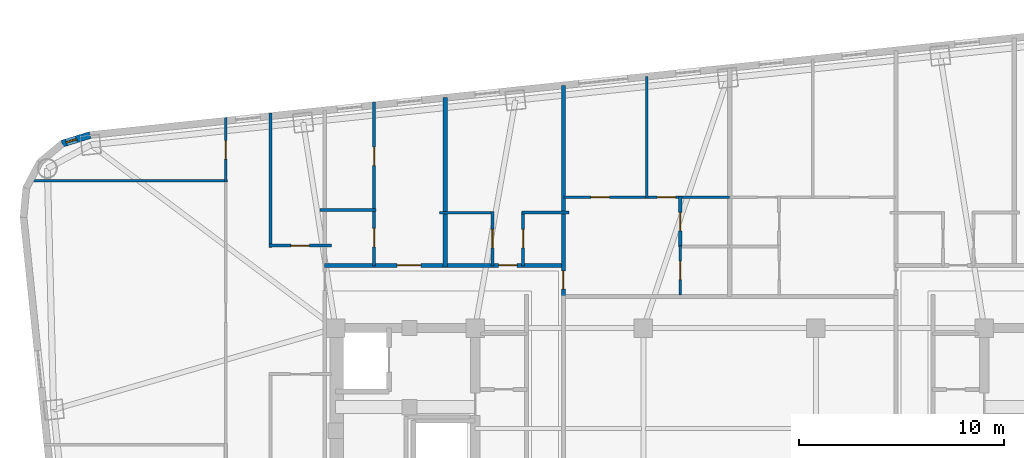
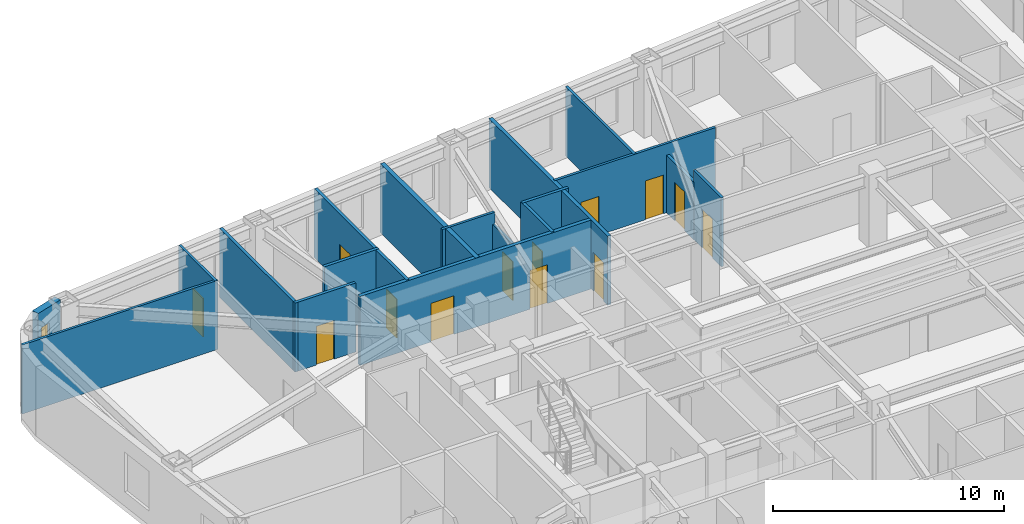
# One storey, part 7 of 12: 19 walls, 13 doors, 1 window, 14 openings.
"""IFC4 building model written with IfcOpenShell, lengths in metres."""

from ifc_helpers import new_model, si_unit, direction, frame, frame_2d, origin, place, context, subcontext, project, spatial, rectangle, extrude, material, layer, layer_set, type_object, element, fill, save


model = new_model("IFC4")

# Units and contexts
model_context = context("Model", 3, precision=1e-05, world=origin(), true_north=direction((0.0, 1.0)))
body_context = subcontext(model_context, "Body", "Model", "MODEL_VIEW")
ifc_project = project(units=[si_unit("LENGTHUNIT", "METRE"), si_unit("AREAUNIT", "SQUARE_METRE"), si_unit("VOLUMEUNIT", "CUBIC_METRE"), si_unit("PLANEANGLEUNIT", "RADIAN"), si_unit("MASSUNIT", "GRAM", prefix="KILO")], contexts=[model_context])

# Site, building, storey
site_placement = place(None, origin())
site = spatial("IfcSite", under=ifc_project, at=site_placement, CompositionType="ELEMENT")
building_placement = place(site_placement, origin())
building = spatial("IfcBuilding", under=site, at=building_placement, Name="Voryun Gate Residences", CompositionType="ELEMENT")
storey_placement = place(building_placement, frame((0.0, 0.0, 159.89990234375)))
storey = spatial("IfcBuildingStorey", under=building, at=storey_placement, Name="L39", CompositionType="ELEMENT", Elevation=159.89990234375)

# Wall, openings, doors
ifc_material_1 = material(Name="Gypsum acoustic fireboard")
ifc_layer_1 = layer(ifc_material_1, 0.179931640625, Name="W_CORR_RATED_180")
ifc_layer_set_1 = layer_set([ifc_layer_1], Name="Gypsum acoustic fireboard")
wall_type_1 = type_object("IfcWallType", Name="W_CORR_RATED_180", PredefinedType="PARTITIONING", material=ifc_layer_set_1)
wall_1_placement = place(storey_placement, frame((-19.75, 10.449951171875, 0.0), z_axis=(0.0, 0.0, 1.0), x_axis=(1.0, 0.0, 0.0)))
wall_1 = element("IfcWall", 1, at=wall_1_placement, inside=storey, type_object=wall_type_1, Name="Partition wall WP-L39-NCORR-W", PredefinedType="PARTITIONING", context=body_context, shape_type="SweptSolid", body=[
    extrude(rectangle(XDim=11.669921875, YDim=0.179931640625, at=frame_2d((5.8349609375, 0.0))), origin(), (0.0, 0.0, 1.0), 3.650146484375),
])
opening_1_placement = place(wall_1_placement, frame((3.552734375, 0.0, 0.0)))
opening_1 = element("IfcOpeningElement", 2, at=opening_1_placement, cuts=wall_1, Name="Opening D-UNIT-1", PredefinedType="OPENING", context=body_context, shape_type="SweptSolid", body=[
    extrude(rectangle(XDim=1.14990234375, YDim=2.050048828125, at=frame_2d((0.574951171875, 1.02490234375))), frame((0.0, 0.099853515625, 0.0), z_axis=(0.0, -1.0, 0.0), x_axis=(1.0, 0.0, 0.0)), (0.0, 0.0, 1.0), 0.199951171875),
])
opening_2_placement = place(wall_1_placement, frame((8.4892578125, 0.0, 0.0)))
opening_2 = element("IfcOpeningElement", 3, at=opening_2_placement, cuts=wall_1, Name="Opening D-INT-2", PredefinedType="OPENING", context=body_context, shape_type="SweptSolid", body=[
    extrude(rectangle(XDim=0.89990234375, YDim=2.050048828125, at=frame_2d((0.449951171875, 1.02490234375))), frame((0.0, 0.099853515625, 0.0), z_axis=(0.0, -1.0, 0.0), x_axis=(1.0, 0.0, 0.0)), (0.0, 0.0, 1.0), 0.199951171875),
])
ifc_material_2 = material(Name="Architectural oak veneer")
door_type_1 = type_object("IfcDoorType", Name="DR_INT_BATH_900", OperationType="NOTDEFINED", PredefinedType="DOOR", material=ifc_material_2)
door_1_placement = place(opening_2_placement, origin())
door_1 = element("IfcDoor", 4, at=door_1_placement, inside=storey, type_object=door_type_1, Name="Door DR-L39-NENT-2", OperationType="SINGLE_SWING_RIGHT", OverallHeight=2.050048828125, OverallWidth=0.89990234375, PredefinedType="DOOR", context=body_context, shape_type="SweptSolid", body=[
    extrude(rectangle(XDim=0.89990234375, YDim=2.050048828125, at=frame_2d((0.449951171875, 1.02490234375))), frame((0.0, 0.02490234375, 0.0), z_axis=(0.0, -1.0, 0.0), x_axis=(1.0, 0.0, 0.0)), (0.0, 0.0, 1.0), 0.050048828125),
])
fill(opening_2, door_1)
ifc_material_3 = material(Name="Armoured timber-clad fire door", Category="wood")
door_type_2 = type_object("IfcDoorType", Name="DR_UNIT_ENTRY_1150", OperationType="NOTDEFINED", PredefinedType="DOOR", material=ifc_material_3)
door_2_placement = place(opening_1_placement, origin())
door_2 = element("IfcDoor", 5, at=door_2_placement, inside=storey, type_object=door_type_2, Name="Door DR-L39-NENT-1", OperationType="SINGLE_SWING_LEFT", OverallHeight=2.050048828125, OverallWidth=1.14990234375, PredefinedType="DOOR", context=body_context, shape_type="SweptSolid", body=[
    extrude(rectangle(XDim=1.14990234375, YDim=2.050048828125, at=frame_2d((0.574951171875, 1.02490234375))), frame((0.0, 0.02490234375, 0.0), z_axis=(0.0, -1.0, 0.0), x_axis=(1.0, 0.0, 0.0)), (0.0, 0.0, 1.0), 0.050048828125),
])
fill(opening_1, door_2)

# Wall, opening, door
wall_2_placement = place(storey_placement, frame((-8.10009765625, 8.93994140625, 0.0), z_axis=(0.0, 0.0, 1.0), x_axis=(0.0, 1.0, 0.0)))
wall_2 = element("IfcWall", 6, at=wall_2_placement, inside=storey, type_object=wall_type_1, Name="Partition wall WP-L39-NZV-1", PredefinedType="PARTITIONING", context=body_context, shape_type="SweptSolid", body=[
    extrude(rectangle(XDim=10.286376953125, YDim=0.179931640625, at=frame_2d((5.14306640625, 0.0))), origin(), (0.0, 0.0, 1.0), 3.650146484375),
])
opening_3_placement = place(wall_2_placement, frame((0.350341796875, 0.0, 0.0)))
opening_3 = element("IfcOpeningElement", 7, at=opening_3_placement, cuts=wall_2, Name="Opening D-INT-2", PredefinedType="OPENING", context=body_context, shape_type="SweptSolid", body=[
    extrude(rectangle(XDim=0.89990234375, YDim=2.050048828125, at=frame_2d((0.449951171875, 1.02490234375))), frame((0.0, 0.099853515625, 0.0), z_axis=(0.0, -1.0, 0.0), x_axis=(1.0, 0.0, 0.0)), (0.0, 0.0, 1.0), 0.199951171875),
])
door_3_placement = place(opening_3_placement, origin())
door_3 = element("IfcDoor", 8, at=door_3_placement, inside=storey, type_object=door_type_1, Name="Door DR-L39-NZENT-1", OperationType="SINGLE_SWING_LEFT", OverallHeight=2.050048828125, OverallWidth=0.89990234375, PredefinedType="DOOR", context=body_context, shape_type="SweptSolid", body=[
    extrude(rectangle(XDim=0.89990234375, YDim=2.050048828125, at=frame_2d((0.449951171875, 1.02490234375))), frame((0.0, 0.02490234375, 0.0), z_axis=(0.0, -1.0, 0.0), x_axis=(1.0, 0.0, 0.0)), (0.0, 0.0, 1.0), 0.050048828125),
])
fill(opening_3, door_3)

# Wall, opening, window
ifc_material_4 = material(Name="Charcoal terracotta masonry", Category="masonry")
ifc_layer_2 = layer(ifc_material_4, 0.340087890625, Name="W_EXT_TERRACOTTA_340")
ifc_layer_set_2 = layer_set([ifc_layer_2], Name="Charcoal terracotta masonry")
wall_type_2 = type_object("IfcWallType", Name="W_EXT_TERRACOTTA_340", PredefinedType="ELEMENTEDWALL", material=ifc_layer_set_2)
wall_3_placement = place(storey_placement, frame((-32.523193359375, 16.37841796875, 0.0), z_axis=(0.0, 0.0, 1.0), x_axis=(0.9549942197, 0.296624409546, 0.0)))
wall_3 = element("IfcWall", 9, at=wall_3_placement, inside=storey, type_object=wall_type_2, Name="Exterior wall WEXT-L39-10", PredefinedType="ELEMENTEDWALL", context=body_context, shape_type="SweptSolid", body=[
    extrude(rectangle(XDim=1.43212890625, YDim=0.340087890625, at=frame_2d((0.716064453125, 0.0))), origin(), (0.0, 0.0, 1.0), 3.650146484375),
])
opening_4_placement = place(wall_3_placement, frame((0.216064453125, 0.0, 0.75)))
opening_4 = element("IfcOpeningElement", 10, at=opening_4_placement, cuts=wall_3, Name="Opening WN10", PredefinedType="OPENING", context=body_context, shape_type="SweptSolid", body=[
    extrude(rectangle(XDim=0.52001953125, YDim=2.050048828125, at=frame_2d((0.260009765625, 1.02490234375))), frame((0.0, 0.179931640625, 0.0), z_axis=(0.0, -1.0, 0.0), x_axis=(1.0, 0.0, 0.0)), (0.0, 0.0, 1.0), 0.360107421875),
])
ifc_material_5 = material(Name="Laminated low-E glass", Category="glass")
window_type = type_object("IfcWindowType", Name="WN_PAGODA_LANCET_520", PartitioningType="SINGLE_PANEL", PredefinedType="WINDOW", material=ifc_material_5)
window_placement = place(opening_4_placement, origin())
window = element("IfcWindow", 11, at=window_placement, inside=storey, type_object=window_type, Name="Window WN-L39-DWFIX-24", OverallHeight=2.050048828125, OverallWidth=0.52001953125, PartitioningType="SINGLE_PANEL", PredefinedType="WINDOW", context=body_context, shape_type="SweptSolid", body=[
    extrude(rectangle(XDim=0.52001953125, YDim=2.050048828125, at=frame_2d((0.260009765625, 1.02490234375))), frame((0.0, 0.030029296875, 0.0), z_axis=(0.0, -1.0, 0.0), x_axis=(1.0, 0.0, 0.0)), (0.0, 0.0, 1.0), 0.06005859375),
])
fill(opening_4, window)

# Wall
ifc_material_6 = material(Name="Concrete C40/50", Category="concrete")
ifc_layer_3 = layer(ifc_material_6, 0.219970703125, Name="W_PARTY_ACOUSTIC_220")
ifc_layer_set_3 = layer_set([ifc_layer_3], Name="Concrete C40/50")
wall_type_3 = type_object("IfcWallType", Name="W_PARTY_ACOUSTIC_220", PredefinedType="PARTITIONING", material=ifc_layer_set_3)
wall_4_placement = place(storey_placement, frame((-13.864990234375, 10.3701171875, 0.0), z_axis=(0.0, 0.0, 1.0), x_axis=(0.0, 1.0, 0.0)))
element("IfcWall", 12, at=wall_4_placement, inside=storey, type_object=wall_type_3, Name="Partition wall WP-L39-NPTY-1", PredefinedType="PARTITIONING", context=body_context, shape_type="SweptSolid", body=[
    extrude(rectangle(XDim=8.25048828125, YDim=0.219970703125, at=frame_2d((4.125244140625, 0.0))), origin(), (0.0, 0.0, 1.0), 3.650146484375),
])

# Wall, opening, door
ifc_material_7 = material(Name="Gypsum acoustic partition")
ifc_layer_4 = layer(ifc_material_7, 0.125, Name="W_UNIT_PART_125")
ifc_layer_set_4 = layer_set([ifc_layer_4], Name="Gypsum acoustic partition")
wall_type_4 = type_object("IfcWallType", Name="W_UNIT_PART_125", PredefinedType="PARTITIONING", material=ifc_layer_set_4)
wall_5_placement = place(storey_placement, frame((-11.554931640625, 10.429931640625, 0.0), z_axis=(0.0, 0.0, 1.0), x_axis=(0.0, 1.0, 0.0)))
wall_5 = element("IfcWall", 13, at=wall_5_placement, inside=storey, type_object=wall_type_4, Name="Partition wall WP-L39-N2-CVK", PredefinedType="PARTITIONING", context=body_context, shape_type="SweptSolid", body=[
    extrude(rectangle(XDim=2.650146484375, YDim=0.125, at=frame_2d((1.3251953125, 0.0))), origin(), (0.0, 0.0, 1.0), 3.0400390625),
])
opening_5_placement = place(wall_5_placement, frame((0.875, 0.0, 0.0)))
opening_5 = element("IfcOpeningElement", 14, at=opening_5_placement, cuts=wall_5, Name="Opening D-INT-2", PredefinedType="OPENING", context=body_context, shape_type="SweptSolid", body=[
    extrude(rectangle(XDim=0.89990234375, YDim=2.050048828125, at=frame_2d((0.449951171875, 1.02490234375))), frame((0.0, 0.072509765625, 0.0), z_axis=(0.0, -1.0, 0.0), x_axis=(1.0, 0.0, 0.0)), (0.0, 0.0, 1.0), 0.14501953125),
])
door_4_placement = place(opening_5_placement, origin())
door_4 = element("IfcDoor", 15, at=door_4_placement, inside=storey, type_object=door_type_1, Name="Door DR-L39-N2-DK", OperationType="SINGLE_SWING_LEFT", OverallHeight=2.050048828125, OverallWidth=0.89990234375, PredefinedType="DOOR", context=body_context, shape_type="SweptSolid", body=[
    extrude(rectangle(XDim=0.89990234375, YDim=2.050048828125, at=frame_2d((0.449951171875, 1.02490234375))), frame((0.0, 0.02490234375, 0.0), z_axis=(0.0, -1.0, 0.0), x_axis=(1.0, 0.0, 0.0)), (0.0, 0.0, 1.0), 0.050048828125),
])
fill(opening_5, door_4)

# Wall
wall_6_placement = place(storey_placement, frame((-14.125, 13.02001953125, 0.0), z_axis=(0.0, 0.0, 1.0), x_axis=(1.0, 0.0, 0.0)))
element("IfcWall", 16, at=wall_6_placement, inside=storey, type_object=wall_type_4, Name="Partition wall WP-L39-N2-CHK", PredefinedType="PARTITIONING", context=body_context, shape_type="SweptSolid", body=[
    extrude(rectangle(XDim=2.6298828125, YDim=0.125, at=frame_2d((1.31494140625, 0.0))), origin(), (0.0, 0.0, 1.0), 3.650146484375),
])

# Wall, openings, doors
wall_7_placement = place(storey_placement, frame((-8.080078125, 13.780029296875, 0.0), z_axis=(0.0, 0.0, 1.0), x_axis=(1.0, 0.0, 0.0)))
wall_7 = element("IfcWall", 17, at=wall_7_placement, inside=storey, type_object=wall_type_4, Name="Partition wall WP-L39-NC1-HZ", PredefinedType="PARTITIONING", context=body_context, shape_type="SweptSolid", body=[
    extrude(rectangle(XDim=8.06005859375, YDim=0.125, at=frame_2d((4.030029296875, 0.0))), origin(), (0.0, 0.0, 1.0), 3.650146484375),
])
opening_6_placement = place(wall_7_placement, frame((1.3232421875, 0.0, 0.0)))
opening_6 = element("IfcOpeningElement", 18, at=opening_6_placement, cuts=wall_7, Name="Opening D-INT-2", PredefinedType="OPENING", context=body_context, shape_type="SweptSolid", body=[
    extrude(rectangle(XDim=0.89990234375, YDim=2.050048828125, at=frame_2d((0.449951171875, 1.02490234375))), frame((0.0, 0.072509765625, 0.0), z_axis=(0.0, -1.0, 0.0), x_axis=(1.0, 0.0, 0.0)), (0.0, 0.0, 1.0), 0.14501953125),
])
opening_7_placement = place(wall_7_placement, frame((4.547119140625, 0.0, 0.0)))
opening_7 = element("IfcOpeningElement", 19, at=opening_7_placement, cuts=wall_7, Name="Opening D-INT-2", PredefinedType="OPENING", context=body_context, shape_type="SweptSolid", body=[
    extrude(rectangle(XDim=0.89990234375, YDim=2.050048828125, at=frame_2d((0.449951171875, 1.02490234375))), frame((0.0, 0.072509765625, 0.0), z_axis=(0.0, -1.0, 0.0), x_axis=(1.0, 0.0, 0.0)), (0.0, 0.0, 1.0), 0.14501953125),
])
door_5_placement = place(opening_6_placement, origin())
door_5 = element("IfcDoor", 20, at=door_5_placement, inside=storey, type_object=door_type_1, Name="Door DR-L39-NC1-DMB", OperationType="SINGLE_SWING_LEFT", OverallHeight=2.050048828125, OverallWidth=0.89990234375, PredefinedType="DOOR", context=body_context, shape_type="SweptSolid", body=[
    extrude(rectangle(XDim=0.89990234375, YDim=2.050048828125, at=frame_2d((0.449951171875, 1.02490234375))), frame((0.0, 0.02490234375, 0.0), z_axis=(0.0, -1.0, 0.0), x_axis=(1.0, 0.0, 0.0)), (0.0, 0.0, 1.0), 0.050048828125),
])
fill(opening_6, door_5)
door_6_placement = place(opening_7_placement, origin())
door_6 = element("IfcDoor", 21, at=door_6_placement, inside=storey, type_object=door_type_1, Name="Door DR-L39-NC1-DBD2", OperationType="SINGLE_SWING_RIGHT", OverallHeight=2.050048828125, OverallWidth=0.89990234375, PredefinedType="DOOR", context=body_context, shape_type="SweptSolid", body=[
    extrude(rectangle(XDim=0.89990234375, YDim=2.050048828125, at=frame_2d((0.449951171875, 1.02490234375))), frame((0.0, 0.02490234375, 0.0), z_axis=(0.0, -1.0, 0.0), x_axis=(1.0, 0.0, 0.0)), (0.0, 0.0, 1.0), 0.050048828125),
])
fill(opening_7, door_6)

# Wall, opening, door
wall_8_placement = place(storey_placement, frame((-2.409912109375, 9.0, 0.0), z_axis=(0.0, 0.0, 1.0), x_axis=(0.0, 1.0, 0.0)))
wall_8 = element("IfcWall", 22, at=wall_8_placement, inside=storey, type_object=wall_type_4, Name="Partition wall WP-L39-NC1-VK1", PredefinedType="PARTITIONING", context=body_context, shape_type="SweptSolid", body=[
    extrude(rectangle(XDim=2.409912109375, YDim=0.125, at=frame_2d((1.205078125, 0.0))), origin(), (0.0, 0.0, 1.0), 3.650146484375),
])
opening_8_placement = place(wall_8_placement, frame((0.7548828125, 0.0, 0.0)))
opening_8 = element("IfcOpeningElement", 23, at=opening_8_placement, cuts=wall_8, Name="Opening D-INT-2", PredefinedType="OPENING", context=body_context, shape_type="SweptSolid", body=[
    extrude(rectangle(XDim=0.89990234375, YDim=2.050048828125, at=frame_2d((0.449951171875, 1.02490234375))), frame((0.0, 0.072509765625, 0.0), z_axis=(0.0, -1.0, 0.0), x_axis=(1.0, 0.0, 0.0)), (0.0, 0.0, 1.0), 0.14501953125),
])
door_7_placement = place(opening_8_placement, origin())
door_7 = element("IfcDoor", 24, at=door_7_placement, inside=storey, type_object=door_type_1, Name="Door DR-L39-NC1-DK", OperationType="SINGLE_SWING_LEFT", OverallHeight=2.050048828125, OverallWidth=0.89990234375, PredefinedType="DOOR", context=body_context, shape_type="SweptSolid", body=[
    extrude(rectangle(XDim=0.89990234375, YDim=2.050048828125, at=frame_2d((0.449951171875, 1.02490234375))), frame((0.0, 0.02490234375, 0.0), z_axis=(0.0, -1.0, 0.0), x_axis=(1.0, 0.0, 0.0)), (0.0, 0.0, 1.0), 0.050048828125),
])
fill(opening_8, door_7)

# Walls
wall_9_placement = place(storey_placement, frame((-4.050048828125, 13.739990234375, 0.0), z_axis=(0.0, 0.0, 1.0), x_axis=(0.0, 1.0, 0.0)))
element("IfcWall", 25, at=wall_9_placement, inside=storey, type_object=wall_type_4, Name="Partition wall WP-L39-NC1-VBD", PredefinedType="PARTITIONING", context=body_context, shape_type="SweptSolid", body=[
    extrude(rectangle(XDim=5.912109375, YDim=0.125, at=frame_2d((2.9560546875, 0.0))), origin(), (0.0, 0.0, 1.0), 3.650146484375),
])
wall_10_placement = place(storey_placement, frame((-34.2587890625, 14.56494140625, 0.0), z_axis=(0.0, 0.0, 1.0), x_axis=(1.0, 0.0, 0.0)))
element("IfcWall", 26, at=wall_10_placement, inside=storey, type_object=wall_type_4, Name="Partition wall WP-L39-W2-OH2", PredefinedType="PARTITIONING", context=body_context, shape_type="SweptSolid", body=[
    extrude(rectangle(XDim=9.788818359375, YDim=0.125, at=frame_2d((4.89453125, 0.0))), origin(), (0.0, 0.0, 1.0), 3.650146484375),
])

# Wall, opening, door
wall_11_placement = place(storey_placement, frame((-24.550048828125, 14.514892578125, 0.0), z_axis=(0.0, 0.0, 1.0), x_axis=(0.0, 1.0, 0.0)))
wall_11 = element("IfcWall", 27, at=wall_11_placement, inside=storey, type_object=wall_type_4, Name="Partition wall WP-L39-W2-OVX3", PredefinedType="PARTITIONING", context=body_context, shape_type="SweptSolid", body=[
    extrude(rectangle(XDim=3.13330078125, YDim=0.125, at=frame_2d((1.566650390625, 0.0))), origin(), (0.0, 0.0, 1.0), 3.650146484375),
])
opening_9_placement = place(wall_11_placement, frame((1.11669921875, 0.0, 0.0)))
opening_9 = element("IfcOpeningElement", 28, at=opening_9_placement, cuts=wall_11, Name="Opening D-INT-2", PredefinedType="OPENING", context=body_context, shape_type="SweptSolid", body=[
    extrude(rectangle(XDim=0.89990234375, YDim=2.050048828125, at=frame_2d((0.449951171875, 1.02490234375))), frame((0.0, 0.072509765625, 0.0), z_axis=(0.0, -1.0, 0.0), x_axis=(1.0, 0.0, 0.0)), (0.0, 0.0, 1.0), 0.14501953125),
])
door_8_placement = place(opening_9_placement, origin())
door_8 = element("IfcDoor", 29, at=door_8_placement, inside=storey, type_object=door_type_1, Name="Door DR-L39-W2-DMB", OperationType="SINGLE_SWING_LEFT", OverallHeight=2.050048828125, OverallWidth=0.89990234375, PredefinedType="DOOR", context=body_context, shape_type="SweptSolid", body=[
    extrude(rectangle(XDim=0.89990234375, YDim=2.050048828125, at=frame_2d((0.449951171875, 1.02490234375))), frame((0.0, 0.02490234375, 0.0), z_axis=(0.0, -1.0, 0.0), x_axis=(1.0, 0.0, 0.0)), (0.0, 0.0, 1.0), 0.050048828125),
])
fill(opening_9, door_8)

# Wall
ifc_material_8 = material(Name="Gypsum moisture-resistant partition")
ifc_layer_5 = layer(ifc_material_8, 0.14990234375, Name="W_WET_PLUMB_150")
ifc_layer_set_5 = layer_set([ifc_layer_5], Name="Gypsum moisture-resistant partition")
wall_type_5 = type_object("IfcWallType", Name="W_WET_PLUMB_150", PredefinedType="PLUMBINGWALL", material=ifc_layer_set_5)
wall_12_placement = place(storey_placement, frame((-19.969970703125, 13.14990234375, 0.0), z_axis=(0.0, 0.0, 1.0), x_axis=(1.0, 0.0, 0.0)))
element("IfcWall", 30, at=wall_12_placement, inside=storey, type_object=wall_type_5, Name="Partition wall WP-L39-N1-SKB", PredefinedType="PLUMBINGWALL", context=body_context, shape_type="SweptSolid", body=[
    extrude(rectangle(XDim=2.72998046875, YDim=0.14990234375, at=frame_2d((1.364990234375, 0.0))), origin(), (0.0, 0.0, 1.0), 3.650146484375),
])

# Wall, opening, door
wall_13_placement = place(storey_placement, frame((-17.320068359375, 10.429931640625, 0.0), z_axis=(0.0, 0.0, 1.0), x_axis=(0.0, 1.0, 0.0)))
wall_13 = element("IfcWall", 31, at=wall_13_placement, inside=storey, type_object=wall_type_5, Name="Partition wall WP-L39-N1-SVT1", PredefinedType="PLUMBINGWALL", context=body_context, shape_type="SweptSolid", body=[
    extrude(rectangle(XDim=2.760009765625, YDim=0.14990234375, at=frame_2d((1.3798828125, 0.0))), origin(), (0.0, 0.0, 1.0), 3.650146484375),
])
opening_10_placement = place(wall_13_placement, frame((0.929931640625, 0.0, 0.0)))
opening_10 = element("IfcOpeningElement", 32, at=opening_10_placement, cuts=wall_13, Name="Opening D-INT-2", PredefinedType="OPENING", context=body_context, shape_type="SweptSolid", body=[
    extrude(rectangle(XDim=0.89990234375, YDim=2.050048828125, at=frame_2d((0.449951171875, 1.02490234375))), frame((0.0, 0.0849609375, 0.0), z_axis=(0.0, -1.0, 0.0), x_axis=(1.0, 0.0, 0.0)), (0.0, 0.0, 1.0), 0.169921875),
])
door_9_placement = place(opening_10_placement, origin())
door_9 = element("IfcDoor", 33, at=door_9_placement, inside=storey, type_object=door_type_1, Name="Door DR-L39-N1-DB", OperationType="SINGLE_SWING_LEFT", OverallHeight=2.050048828125, OverallWidth=0.89990234375, PredefinedType="DOOR", context=body_context, shape_type="SweptSolid", body=[
    extrude(rectangle(XDim=0.89990234375, YDim=2.050048828125, at=frame_2d((0.449951171875, 1.02490234375))), frame((0.0, 0.02490234375, 0.0), z_axis=(0.0, -1.0, 0.0), x_axis=(1.0, 0.0, 0.0)), (0.0, 0.0, 1.0), 0.050048828125),
])
fill(opening_10, door_9)

wall_14_placement = place(storey_placement, frame((-17.320068359375, 13.110107421875, 0.0), z_axis=(0.0, 0.0, 1.0), x_axis=(0.0, 1.0, 0.0)))
wall_14 = element("IfcWall", 34, at=wall_14_placement, inside=storey, type_object=wall_type_5, Name="Partition wall WP-L39-N1-SVT2", PredefinedType="PLUMBINGWALL", context=body_context, shape_type="SweptSolid", body=[
    extrude(rectangle(XDim=5.298095703125, YDim=0.14990234375, at=frame_2d((2.64892578125, 0.0))), origin(), (0.0, 0.0, 1.0), 3.650146484375),
])
opening_11_placement = place(wall_14_placement, frame((2.19921875, 0.0, 0.0)))
opening_11 = element("IfcOpeningElement", 35, at=opening_11_placement, cuts=wall_14, Name="Opening D-INT-2", PredefinedType="OPENING", context=body_context, shape_type="SweptSolid", body=[
    extrude(rectangle(XDim=0.89990234375, YDim=2.050048828125, at=frame_2d((0.449951171875, 1.02490234375))), frame((0.0, 0.0849609375, 0.0), z_axis=(0.0, -1.0, 0.0), x_axis=(1.0, 0.0, 0.0)), (0.0, 0.0, 1.0), 0.169921875),
])
door_10_placement = place(opening_11_placement, origin())
door_10 = element("IfcDoor", 36, at=door_10_placement, inside=storey, type_object=door_type_1, Name="Door DR-L39-N1-DK", OperationType="SINGLE_SWING_RIGHT", OverallHeight=2.050048828125, OverallWidth=0.89990234375, PredefinedType="DOOR", context=body_context, shape_type="SweptSolid", body=[
    extrude(rectangle(XDim=0.89990234375, YDim=2.050048828125, at=frame_2d((0.449951171875, 1.02490234375))), frame((0.0, 0.02490234375, 0.0), z_axis=(0.0, -1.0, 0.0), x_axis=(1.0, 0.0, 0.0)), (0.0, 0.0, 1.0), 0.050048828125),
])
fill(opening_11, door_10)

wall_15_placement = place(storey_placement, frame((-10.06591796875, 10.429931640625, 0.0), z_axis=(0.0, 0.0, 1.0), x_axis=(0.0, 1.0, 0.0)))
wall_15 = element("IfcWall", 37, at=wall_15_placement, inside=storey, type_object=wall_type_5, Name="Partition wall WP-L39-N2-CVB", PredefinedType="PLUMBINGWALL", context=body_context, shape_type="SweptSolid", body=[
    extrude(rectangle(XDim=2.650146484375, YDim=0.14990234375, at=frame_2d((1.3251953125, 0.0))), origin(), (0.0, 0.0, 1.0), 3.650146484375),
])
opening_12_placement = place(wall_15_placement, frame((0.875, 0.0, 0.0)))
opening_12 = element("IfcOpeningElement", 38, at=opening_12_placement, cuts=wall_15, Name="Opening D-INT-2", PredefinedType="OPENING", context=body_context, shape_type="SweptSolid", body=[
    extrude(rectangle(XDim=0.89990234375, YDim=2.050048828125, at=frame_2d((0.449951171875, 1.02490234375))), frame((0.0, 0.0849609375, 0.0), z_axis=(0.0, -1.0, 0.0), x_axis=(1.0, 0.0, 0.0)), (0.0, 0.0, 1.0), 0.169921875),
])
door_11_placement = place(opening_12_placement, origin())
door_11 = element("IfcDoor", 39, at=door_11_placement, inside=storey, type_object=door_type_1, Name="Door DR-L39-N2-DB", OperationType="SINGLE_SWING_RIGHT", OverallHeight=2.050048828125, OverallWidth=0.89990234375, PredefinedType="DOOR", context=body_context, shape_type="SweptSolid", body=[
    extrude(rectangle(XDim=0.89990234375, YDim=2.050048828125, at=frame_2d((0.449951171875, 1.02490234375))), frame((0.0, 0.02490234375, 0.0), z_axis=(0.0, -1.0, 0.0), x_axis=(1.0, 0.0, 0.0)), (0.0, 0.0, 1.0), 0.050048828125),
])
fill(opening_12, door_11)

# Wall
wall_16_placement = place(storey_placement, frame((-10.1259765625, 13.02001953125, 0.0), z_axis=(0.0, 0.0, 1.0), x_axis=(1.0, 0.0, 0.0)))
element("IfcWall", 40, at=wall_16_placement, inside=storey, type_object=wall_type_5, Name="Partition wall WP-L39-N2-CHB", PredefinedType="PLUMBINGWALL", context=body_context, shape_type="SweptSolid", body=[
    extrude(rectangle(XDim=2.305908203125, YDim=0.14990234375, at=frame_2d((1.15283203125, 0.0))), origin(), (0.0, 0.0, 1.0), 3.650146484375),
])

# Wall, opening, door
wall_17_placement = place(storey_placement, frame((-2.409912109375, 11.35009765625, 0.0), z_axis=(0.0, 0.0, 1.0), x_axis=(0.0, 1.0, 0.0)))
wall_17 = element("IfcWall", 41, at=wall_17_placement, inside=storey, type_object=wall_type_5, Name="Partition wall WP-L39-NC1-VK2", PredefinedType="PLUMBINGWALL", context=body_context, shape_type="SweptSolid", body=[
    extrude(rectangle(XDim=2.469970703125, YDim=0.14990234375, at=frame_2d((1.23486328125, 0.0))), origin(), (0.0, 0.0, 1.0), 3.0400390625),
])
opening_13_placement = place(wall_17_placement, frame((0.784912109375, 0.0, 0.0)))
opening_13 = element("IfcOpeningElement", 42, at=opening_13_placement, cuts=wall_17, Name="Opening D-INT-2", PredefinedType="OPENING", context=body_context, shape_type="SweptSolid", body=[
    extrude(rectangle(XDim=0.89990234375, YDim=2.050048828125, at=frame_2d((0.449951171875, 1.02490234375))), frame((0.0, 0.0849609375, 0.0), z_axis=(0.0, -1.0, 0.0), x_axis=(1.0, 0.0, 0.0)), (0.0, 0.0, 1.0), 0.169921875),
])
door_12_placement = place(opening_13_placement, origin())
door_12 = element("IfcDoor", 43, at=door_12_placement, inside=storey, type_object=door_type_1, Name="Door DR-L39-NC1-DB", OperationType="SINGLE_SWING_RIGHT", OverallHeight=2.050048828125, OverallWidth=0.89990234375, PredefinedType="DOOR", context=body_context, shape_type="SweptSolid", body=[
    extrude(rectangle(XDim=0.89990234375, YDim=2.050048828125, at=frame_2d((0.449951171875, 1.02490234375))), frame((0.0, 0.02490234375, 0.0), z_axis=(0.0, -1.0, 0.0), x_axis=(1.0, 0.0, 0.0)), (0.0, 0.0, 1.0), 0.050048828125),
])
fill(opening_13, door_12)

wall_18_placement = place(storey_placement, frame((-22.449951171875, 11.412109375, 0.0), z_axis=(0.0, 0.0, 1.0), x_axis=(1.0, 0.0, 0.0)))
wall_18 = element("IfcWall", 44, at=wall_18_placement, inside=storey, type_object=wall_type_5, Name="Partition wall WP-L39-W2-IBB", PredefinedType="PLUMBINGWALL", context=body_context, shape_type="SweptSolid", body=[
    extrude(rectangle(XDim=3.050048828125, YDim=0.14990234375, at=frame_2d((1.52490234375, 0.0))), origin(), (0.0, 0.0, 1.0), 3.650146484375),
])
opening_14_placement = place(wall_18_placement, frame((1.074951171875, 0.0, 0.0)))
opening_14 = element("IfcOpeningElement", 45, at=opening_14_placement, cuts=wall_18, Name="Opening D-INT-2", PredefinedType="OPENING", context=body_context, shape_type="SweptSolid", body=[
    extrude(rectangle(XDim=0.89990234375, YDim=2.050048828125, at=frame_2d((0.449951171875, 1.02490234375))), frame((0.0, 0.0849609375, 0.0), z_axis=(0.0, -1.0, 0.0), x_axis=(1.0, 0.0, 0.0)), (0.0, 0.0, 1.0), 0.169921875),
])
door_13_placement = place(opening_14_placement, origin())
door_13 = element("IfcDoor", 46, at=door_13_placement, inside=storey, type_object=door_type_1, Name="Door DR-L39-W2-DB", OperationType="SINGLE_SWING_RIGHT", OverallHeight=2.050048828125, OverallWidth=0.89990234375, PredefinedType="DOOR", context=body_context, shape_type="SweptSolid", body=[
    extrude(rectangle(XDim=0.89990234375, YDim=2.050048828125, at=frame_2d((0.449951171875, 1.02490234375))), frame((0.0, 0.02490234375, 0.0), z_axis=(0.0, -1.0, 0.0), x_axis=(1.0, 0.0, 0.0)), (0.0, 0.0, 1.0), 0.050048828125),
])
fill(opening_14, door_13)

# Wall
wall_19_placement = place(storey_placement, frame((-22.3701171875, 11.33203125, 0.0), z_axis=(0.0, 0.0, 1.0), x_axis=(0.0, 1.0, 0.0)))
element("IfcWall", 47, at=wall_19_placement, inside=storey, type_object=wall_type_5, Name="Partition wall WP-L39-W2-VTB", PredefinedType="PLUMBINGWALL", context=body_context, shape_type="SweptSolid", body=[
    extrude(rectangle(XDim=6.54541015625, YDim=0.14990234375, at=frame_2d((3.272705078125, 0.0))), origin(), (0.0, 0.0, 1.0), 3.650146484375),
])

save(model, "model.ifc")
